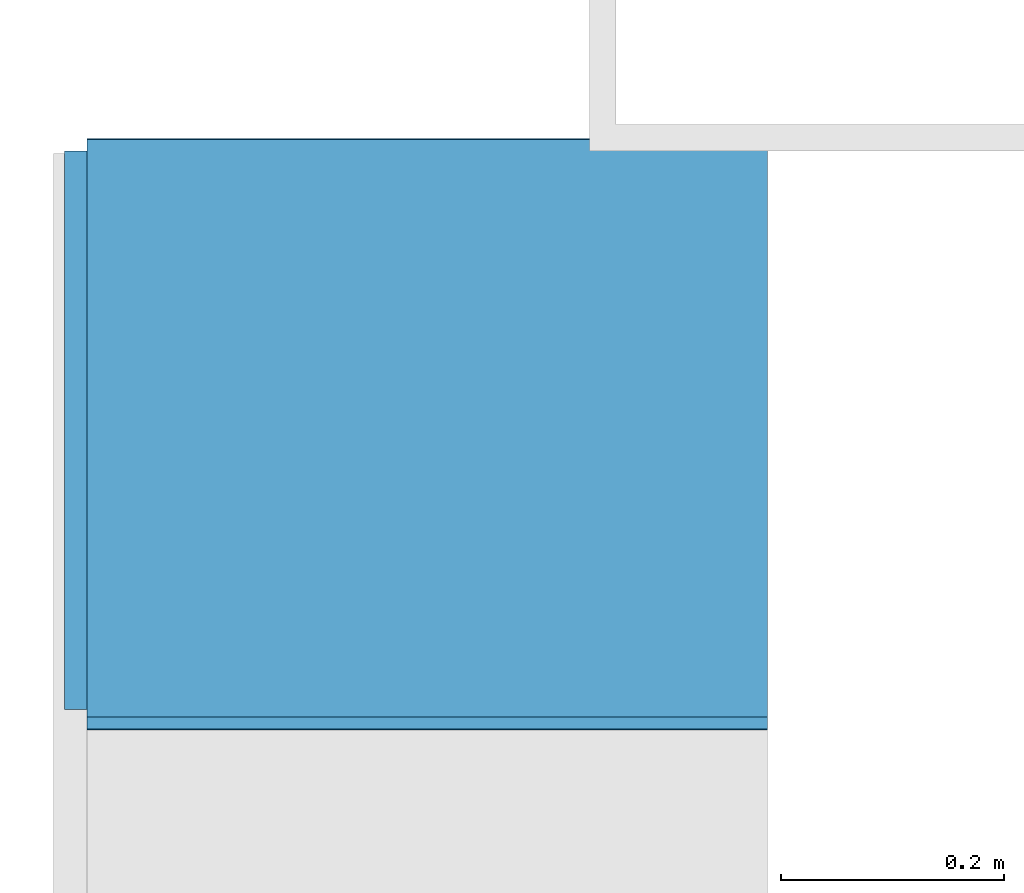
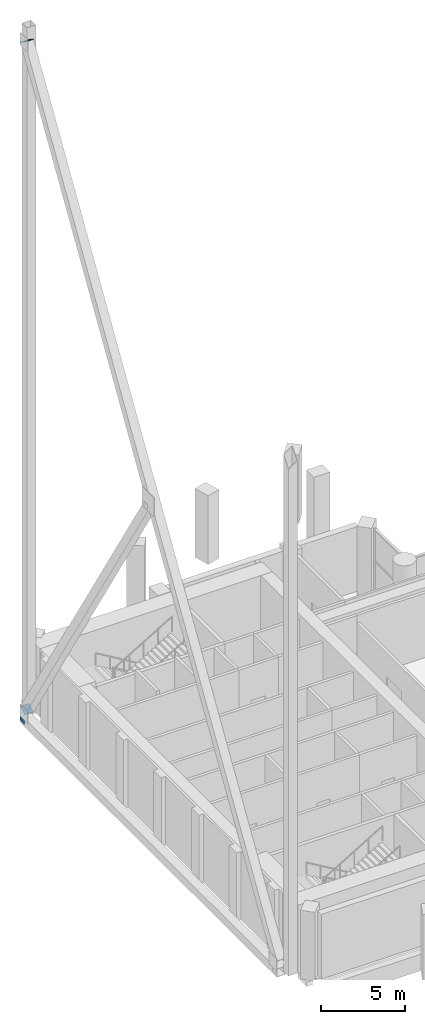
# One storey, part 8 of 12: 3 discrete accessories.
"""IFC4 building model written with IfcOpenShell, lengths in metres."""

from ifc_helpers import new_model, si_unit, direction, frame, origin, origin_2d, place, context, subcontext, project, spatial, rectangle, extrude, material, material_profile, profile_set, type_object, element, save


model = new_model("IFC4")

# Units and contexts
model_context = context("Model", 3, precision=1e-05, world=origin(), true_north=direction((0.0, 1.0)))
body_context = subcontext(model_context, "Body", "Model", "MODEL_VIEW")
ifc_project = project(units=[si_unit("LENGTHUNIT", "METRE"), si_unit("AREAUNIT", "SQUARE_METRE"), si_unit("VOLUMEUNIT", "CUBIC_METRE"), si_unit("PLANEANGLEUNIT", "RADIAN"), si_unit("MASSUNIT", "GRAM", prefix="KILO")], contexts=[model_context])

# Site, building, storey
site_placement = place(None, origin())
site = spatial("IfcSite", under=ifc_project, at=site_placement, CompositionType="ELEMENT")
building_placement = place(site_placement, origin())
building = spatial("IfcBuilding", under=site, at=building_placement, Name="Cypress Arch Tower", CompositionType="ELEMENT")
storey_placement = place(building_placement, frame((0.0, 0.0, 238.39990234375)))
storey = spatial("IfcBuildingStorey", under=building, at=storey_placement, Name="L53", CompositionType="ELEMENT", Elevation=238.39990234375)

# Discrete accessories
ifc_material_1 = material(Name="Steel ASTM A992", Category="steel")
ifc_material_profile_1 = material_profile(ifc_material_1, rectangle(XDim=0.609619140625, YDim=0.609619140625, at=origin_2d()), Name="PL 20 610x610")
ifc_profile_set_1 = profile_set([ifc_material_profile_1], Name="Steel ASTM A992")
discrete_accessory_type_1 = type_object("IfcDiscreteAccessoryType", Name="End cap plate 610x610x20 Steel ASTM A992", PredefinedType="ANCHORPLATE", material=ifc_profile_set_1)
discrete_accessory_1_placement = place(storey_placement, frame((-30.7548828125, 15.036376953125, 49.376708984375), z_axis=(0.0, 0.528892886439, 0.848688585215), x_axis=(-1.0, 0.0, 0.0)))
element("IfcDiscreteAccessory", 1, at=discrete_accessory_1_placement, inside=storey, type_object=discrete_accessory_type_1, Name="End cap plate west bracing 5", PredefinedType="ANCHORPLATE", context=body_context, shape_type="SweptSolid", body=[
    extrude(rectangle(XDim=0.609619140625, YDim=0.609619140625, at=origin_2d()), origin(), (0.0, 0.0, 1.0), 0.019775390625),
])
discrete_accessory_2_placement = place(storey_placement, frame((-30.7548828125, 15.036376953125, 0.7236328125), z_axis=(0.0, 0.523418105875, -0.852075986308), x_axis=(-1.0, 0.0, 0.0)))
element("IfcDiscreteAccessory", 2, at=discrete_accessory_2_placement, inside=storey, type_object=discrete_accessory_type_1, Name="End cap plate west bracing 5", PredefinedType="ANCHORPLATE", context=body_context, shape_type="SweptSolid", body=[
    extrude(rectangle(XDim=0.609619140625, YDim=0.609619140625, at=origin_2d()), origin(), (0.0, 0.0, 1.0), 0.02001953125),
])
ifc_material_2 = material(Name="Steel ASTM A992", Category="steel")
ifc_material_profile_2 = material_profile(ifc_material_2, rectangle(XDim=0.5, YDim=0.300048828125, at=origin_2d()), Name="PL 20 500x300")
ifc_profile_set_2 = profile_set([ifc_material_profile_2], Name="Steel ASTM A992")
discrete_accessory_type_2 = type_object("IfcDiscreteAccessoryType", Name="West bracing chord end plate 500x300x20 Steel ASTM A992", PredefinedType="ANCHORPLATE", material=ifc_profile_set_2)
discrete_accessory_3_placement = place(storey_placement, frame((-31.0595703125, 15.045166015625, 0.0), z_axis=(-1.0, 0.0, 0.0), x_axis=(0.0, -1.0, 0.0)))
element("IfcDiscreteAccessory", 3, at=discrete_accessory_3_placement, inside=storey, type_object=discrete_accessory_type_2, Name="End plate west bracing chord 5N", PredefinedType="ANCHORPLATE", context=body_context, shape_type="SweptSolid", body=[
    extrude(rectangle(XDim=0.5, YDim=0.300048828125, at=origin_2d()), origin(), (0.0, 0.0, 1.0), 0.02001953125),
])

save(model, "model.ifc")
